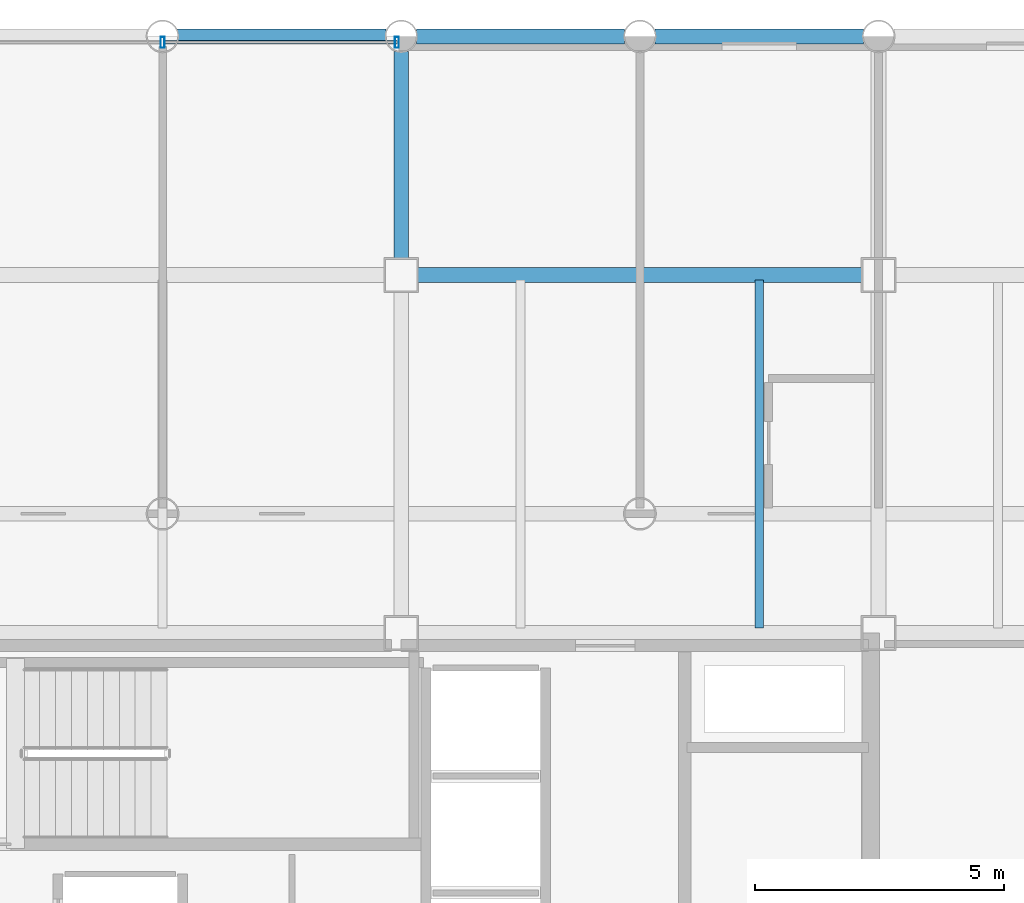
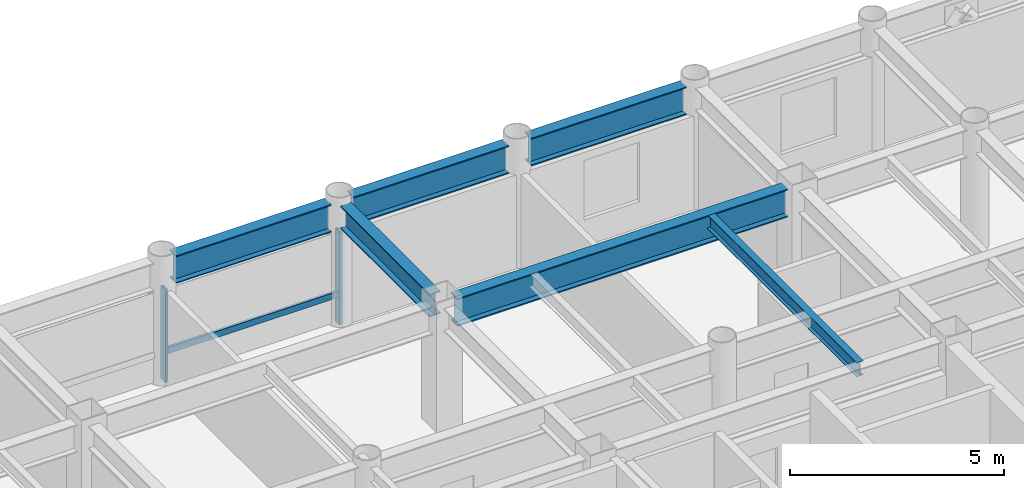
# One storey, part 12 of 20: 6 beams, 3 members, 1 element without a shape of its own.
"""IFC4 building model written with IfcOpenShell, lengths in metres."""

from ifc_helpers import new_model, si_unit, direction, frame, origin, origin_2d, place, context, subcontext, project, spatial, hollow_rectangle, i_section, extrude, material, layer, layer_set, material_profile, profile_set, type_object, element, aggregate, save


model = new_model("IFC4")

# Units and contexts
model_context = context("Model", 3, precision=1e-05, world=origin(), true_north=direction((0.0, 1.0)))
body_context = subcontext(model_context, "Body", "Model", "MODEL_VIEW")
ifc_project = project(units=[si_unit("LENGTHUNIT", "METRE"), si_unit("AREAUNIT", "SQUARE_METRE"), si_unit("VOLUMEUNIT", "CUBIC_METRE"), si_unit("PLANEANGLEUNIT", "RADIAN"), si_unit("MASSUNIT", "GRAM", prefix="KILO")], contexts=[model_context])

# Site, building, storey
site_placement = place(None, origin())
site = spatial("IfcSite", under=ifc_project, at=site_placement, CompositionType="ELEMENT")
building_placement = place(site_placement, origin())
building = spatial("IfcBuilding", under=site, at=building_placement, Name="Kallvorn Hotel Tower", CompositionType="ELEMENT")
storey_placement = place(building_placement, frame((0.0, 0.0, 176.60009765625)))
storey = spatial("IfcBuildingStorey", under=building, at=storey_placement, Name="L44", CompositionType="ELEMENT", Elevation=176.60009765625)

# Beams
ifc_material_1 = material(Name="Structural steel S355JR", Category="steel")
ifc_material_profile_1 = material_profile(ifc_material_1, i_section(OverallWidth=0.300048828125, OverallDepth=0.64990234375, WebThickness=0.01611328125, FlangeThickness=0.031005859375, at=origin_2d()), Name="HE 650 B")
ifc_profile_set_1 = profile_set([ifc_material_profile_1], Name="Structural steel S355JR")
beam_type_1 = type_object("IfcBeamType", Name="BM_HE650B", PredefinedType="BEAM", material=ifc_profile_set_1)
beam_1_placement = place(storey_placement, frame((4.800048828125, 14.72509765625, 3.15478515625), z_axis=(0.0, 1.0, 0.0), x_axis=(-1.0, 0.0, 0.0)))
element("IfcBeam", 1, at=beam_1_placement, inside=storey, type_object=beam_type_1, Name="L45 Primary Y-Girder 118", PredefinedType="BEAM", context=body_context, shape_type="SweptSolid", body=[
    extrude(i_section(OverallWidth=0.300048828125, OverallDepth=0.64990234375, WebThickness=0.01611328125, FlangeThickness=0.031005859375, at=origin_2d()), origin(), (0.0, 0.0, 1.0), 4.169921875),
])
ifc_material_2 = material(Name="Structural steel S355JR", Category="steel")
ifc_material_profile_2 = material_profile(ifc_material_2, i_section(OverallWidth=0.300048828125, OverallDepth=0.800048828125, WebThickness=0.017578125, FlangeThickness=0.032958984375, at=origin_2d()), Name="HE 800 B")
ifc_profile_set_2 = profile_set([ifc_material_profile_2], Name="Structural steel S355JR")
beam_type_2 = type_object("IfcBeamType", Name="BM_HE800B", PredefinedType="BEAM", material=ifc_profile_set_2)
beam_2_placement = place(storey_placement, frame((5.125, 14.39990234375, 3.079833984375), z_axis=(1.0, 0.0, 0.0), x_axis=(0.0, 1.0, 0.0)))
element("IfcBeam", 2, at=beam_2_placement, inside=storey, type_object=beam_type_2, Name="L45 Primary X-Girder 57", PredefinedType="BEAM", context=body_context, shape_type="SweptSolid", body=[
    extrude(i_section(OverallWidth=0.300048828125, OverallDepth=0.800048828125, WebThickness=0.017578125, FlangeThickness=0.032958984375, at=origin_2d()), origin(), (0.0, 0.0, 1.0), 8.949951171875),
])
beam_3_placement = place(storey_placement, frame((0.304931640625, 19.199951171875, 3.079833984375), z_axis=(1.0, 0.0, 0.0), x_axis=(0.0, 1.0, 0.0)))
element("IfcBeam", 3, at=beam_3_placement, inside=storey, type_object=beam_type_2, Name="L45 Primary X-Girder 67", PredefinedType="BEAM", context=body_context, shape_type="SweptSolid", body=[
    extrude(i_section(OverallWidth=0.300048828125, OverallDepth=0.800048828125, WebThickness=0.017578125, FlangeThickness=0.032958984375, at=origin_2d()), origin(), (0.0, 0.0, 1.0), 4.190185546875),
])
for number, where, z_axis, x_axis, name in (
    (4, (5.10498046875, 19.199951171875, 3.079833984375), (1.0, 0.0, 0.0), (0.0, 1.0, 0.0), "L45 Primary X-Girder 68"),
    (5, (9.905029296875, 19.199951171875, 3.079833984375), (1.0, 0.0, 0.0), (0.0, 1.0, 0.0), "L45 Primary X-Girder 69"),
):
    element("IfcBeam", number, at=place(storey_placement, frame(where, z_axis=z_axis, x_axis=x_axis)), inside=storey, type_object=beam_type_2, Name=name, PredefinedType="BEAM", context=body_context, shape_type="SweptSolid", body=[
        extrude(i_section(OverallWidth=0.300048828125, OverallDepth=0.800048828125, WebThickness=0.017578125, FlangeThickness=0.032958984375, at=origin_2d()), origin(), (0.0, 0.0, 1.0), 4.18994140625),
    ])
ifc_material_3 = material(Name="Structural steel S355JR", Category="steel")
ifc_material_profile_3 = material_profile(ifc_material_3, i_section(OverallWidth=0.179931640625, OverallDepth=0.39990234375, WebThickness=0.008544921875, FlangeThickness=0.013427734375, at=origin_2d()), Name="IPE 400")
ifc_profile_set_3 = profile_set([ifc_material_profile_3], Name="Structural steel S355JR")
beam_type_3 = type_object("IfcBeamType", Name="BM_IPE400", PredefinedType="JOIST", material=ifc_profile_set_3)
beam_4_placement = place(storey_placement, frame((12.0, 7.300048828125, 3.27978515625), z_axis=(0.0, 1.0, 0.0), x_axis=(-1.0, 0.0, 0.0)))
element("IfcBeam", 6, at=beam_4_placement, inside=storey, type_object=beam_type_3, Name="L45 Secondary Composite Joist 205", PredefinedType="JOIST", context=body_context, shape_type="SweptSolid", body=[
    extrude(i_section(OverallWidth=0.179931640625, OverallDepth=0.39990234375, WebThickness=0.008544921875, FlangeThickness=0.013427734375, at=origin_2d()), origin(), (0.0, 0.0, 1.0), 7.0),
])

# Curtain wall, members
ifc_material_4 = material(Name="Thermally broken black-anodised aluminium AA 6063-T6", Category="aluminium")
ifc_layer = layer(ifc_material_4, 0.2099609375)
ifc_layer_set = layer_set([ifc_layer], Name="CW_SYS_4_HOTEL_MID")
curtain_wall_type = type_object("IfcCurtainWallType", Name="CW_SYS_4_HOTEL_MID", PredefinedType="USERDEFINED", material=ifc_layer_set)
curtain_wall_placement = place(storey_placement, origin())
curtain_wall = element("IfcCurtainWall", 7, at=curtain_wall_placement, inside=storey, type_object=curtain_wall_type, Name="L44 Dark-Glass Curtain Wall CW-L44-NC", ObjectType="UNITISED CURTAIN WALL", PredefinedType="USERDEFINED")
ifc_material_5 = material(Name="Thermally broken black-anodised aluminium AA 6063-T6", Category="aluminium")
ifc_material_profile_4 = material_profile(ifc_material_5, hollow_rectangle(XDim=0.080078125, YDim=0.219970703125, WallThickness=0.0048828125, at=origin_2d()), Name="MUL 220x80")
ifc_profile_set_4 = profile_set([ifc_material_profile_4], Name="Thermally broken black-anodised aluminium AA 6063-T6")
member_type_1 = type_object("IfcMemberType", Name="CW_MULLION_220x80", PredefinedType="MULLION", material=ifc_profile_set_4)
member_1_placement = place(storey_placement, frame((0.0, 19.080078125, 0.02001953125), z_axis=(0.0, 0.0, 1.0), x_axis=(1.0, 0.0, 0.0)))
member_1 = element("IfcMember", 8, at=member_1_placement, type_object=member_type_1, Name="CW-L44-NC Mullion 01", PredefinedType="MULLION", context=body_context, shape_type="SweptSolid", body=[
    extrude(hollow_rectangle(XDim=0.080078125, YDim=0.219970703125, WallThickness=0.0048828125, at=origin_2d()), origin(), (0.0, 0.0, 1.0), 2.639892578125),
])
member_2_placement = place(storey_placement, frame((4.7099609375, 19.080078125, 0.02001953125), z_axis=(0.0, 0.0, 1.0), x_axis=(1.0, 0.0, 0.0)))
member_2 = element("IfcMember", 9, at=member_2_placement, type_object=member_type_1, Name="CW-L44-NC Mullion 02", PredefinedType="MULLION", context=body_context, shape_type="SweptSolid", body=[
    extrude(hollow_rectangle(XDim=0.080078125, YDim=0.219970703125, WallThickness=0.0048828125, at=origin_2d()), origin(), (0.0, 0.0, 1.0), 2.639892578125),
])
ifc_material_6 = material(Name="Thermally broken black-anodised aluminium AA 6063-T6", Category="aluminium")
ifc_material_profile_5 = material_profile(ifc_material_6, hollow_rectangle(XDim=0.070068359375, YDim=0.179931640625, WallThickness=0.00390625, at=origin_2d()), Name="TRN 180x70")
ifc_profile_set_5 = profile_set([ifc_material_profile_5], Name="Thermally broken black-anodised aluminium AA 6063-T6")
member_type_2 = type_object("IfcMemberType", Name="CW_TRANSOM_180x70", PredefinedType="USERDEFINED", material=ifc_profile_set_5)
member_3_placement = place(storey_placement, frame((0.0400390625, 19.080078125, 0.849853515625), z_axis=(1.0, 0.0, 0.0), x_axis=(0.0, 1.0, 0.0)))
member_3 = element("IfcMember", 10, at=member_3_placement, type_object=member_type_2, Name="CW-L44-NC Transom 01M", ObjectType="TRANSOM", PredefinedType="USERDEFINED", context=body_context, shape_type="SweptSolid", body=[
    extrude(hollow_rectangle(XDim=0.070068359375, YDim=0.179931640625, WallThickness=0.00390625, at=origin_2d()), origin(), (0.0, 0.0, 1.0), 4.669921875),
])
aggregate(curtain_wall, [member_1, member_2, member_3])

save(model, "model.ifc")
